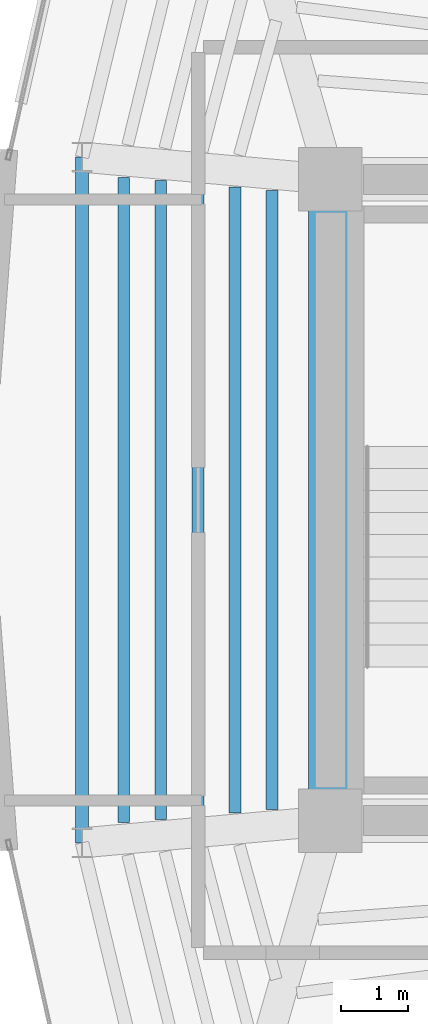
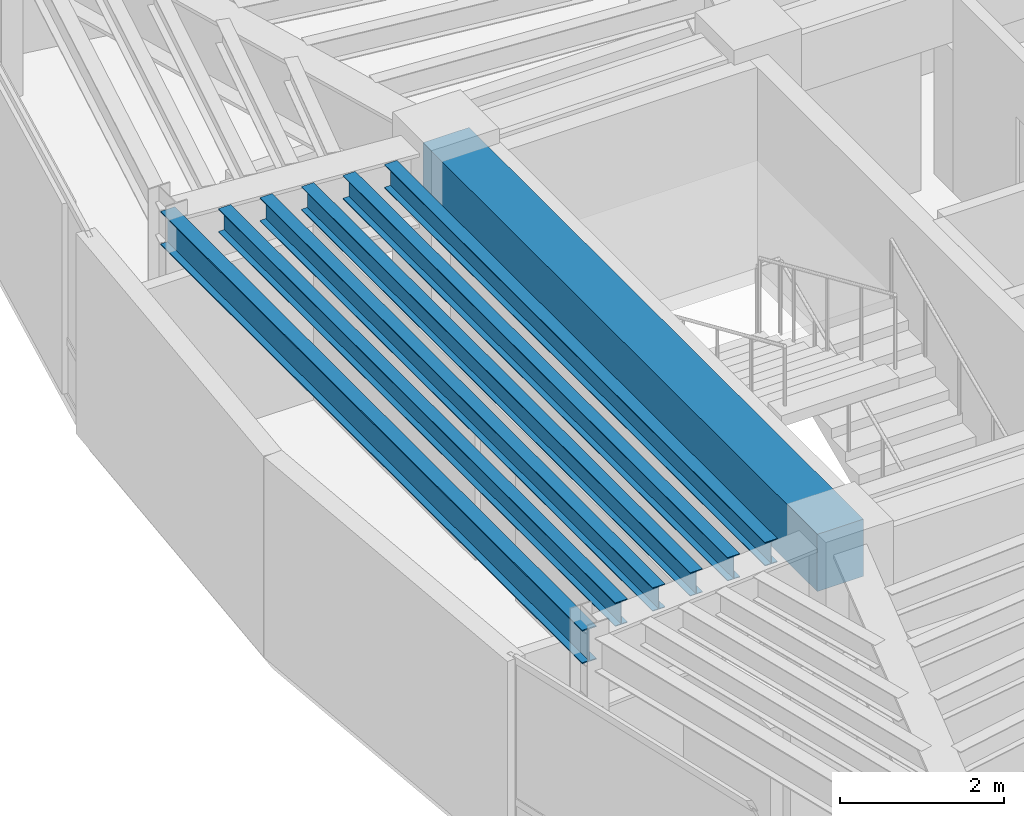
# One storey, part 4 of 14: 7 beams.
"""IFC4 building model written with IfcOpenShell, lengths in metres."""

from ifc_helpers import new_model, si_unit, direction, frame, origin, origin_2d, place, context, subcontext, project, spatial, rectangle, i_section, extrude, material, material_profile, profile_set, type_object, element, save


model = new_model("IFC4")

# Units and contexts
model_context = context("Model", 3, precision=1e-05, world=origin(), true_north=direction((0.0, 1.0)))
body_context = subcontext(model_context, "Body", "Model", "MODEL_VIEW")
ifc_project = project(units=[si_unit("LENGTHUNIT", "METRE"), si_unit("AREAUNIT", "SQUARE_METRE"), si_unit("VOLUMEUNIT", "CUBIC_METRE"), si_unit("PLANEANGLEUNIT", "RADIAN"), si_unit("MASSUNIT", "GRAM", prefix="KILO")], contexts=[model_context])

# Site, building, storey
site_placement = place(None, origin())
site = spatial("IfcSite", under=ifc_project, at=site_placement, CompositionType="ELEMENT")
building_placement = place(site_placement, origin())
building = spatial("IfcBuilding", under=site, at=building_placement, Name="Menara Vayukalpa", CompositionType="ELEMENT")
storey_placement = place(building_placement, frame((0.0, 0.0, 312.02001953125)))
storey = spatial("IfcBuildingStorey", under=building, at=storey_placement, Name="L80", CompositionType="ELEMENT", Elevation=312.02001953125)

# Beams
ifc_material_1 = material(Name="Concrete C60/75", Category="concrete")
ifc_material_profile_1 = material_profile(ifc_material_1, rectangle(XDim=0.64990234375, YDim=0.85009765625, at=origin_2d()), Name="RC 650x850")
ifc_profile_set_1 = profile_set([ifc_material_profile_1], Name="Concrete C60/75")
beam_type_1 = type_object("IfcBeamType", Name="BM-CB1", PredefinedType="BEAM", material=ifc_profile_set_1)
beam_1_placement = place(storey_placement, frame((17.800048828125, 17.199951171875, 2.554931640625), z_axis=(0.0, 1.0, 0.0), x_axis=(-1.0, 0.0, 0.0)))
element("IfcBeam", 1, at=beam_1_placement, inside=storey, type_object=beam_type_1, Name="L80 Core Tie Beam CBR7", PredefinedType="BEAM", context=body_context, shape_type="SweptSolid", body=[
    extrude(rectangle(XDim=0.64990234375, YDim=0.85009765625, at=origin_2d()), origin(), (0.0, 0.0, 1.0), 9.60009765625),
])
ifc_material_2 = material(Name="Steel S355", Category="steel")
ifc_material_profile_2 = material_profile(ifc_material_2, i_section(OverallWidth=0.175048828125, OverallDepth=0.35009765625, WebThickness=0.007080078125, FlangeThickness=0.010986328125, at=origin_2d()), Name="WF 350x175x7x11")
ifc_profile_set_2 = profile_set([ifc_material_profile_2], Name="Steel S355")
beam_type_2 = type_object("IfcBeamType", Name="BM-SJ3", PredefinedType="JOIST", material=ifc_profile_set_2)
beam_2_placement = place(storey_placement, frame((16.926513671875, 26.63330078125, 2.804931640625), z_axis=(0.0, -1.0, 0.0), x_axis=(1.0, 0.0, 0.0)))
element("IfcBeam", 2, at=beam_2_placement, inside=storey, type_object=beam_type_2, Name="L80 Secondary Floor Joist SJ05-1", PredefinedType="JOIST", context=body_context, shape_type="SweptSolid", body=[
    extrude(i_section(OverallWidth=0.175048828125, OverallDepth=0.35009765625, WebThickness=0.007080078125, FlangeThickness=0.010986328125, at=origin_2d()), origin(), (0.0, 0.0, 1.0), 9.2666015625),
])
beam_3_placement = place(storey_placement, frame((16.371337890625, 26.682861328125, 2.804931640625), z_axis=(0.0, -1.0, 0.0), x_axis=(1.0, 0.0, 0.0)))
element("IfcBeam", 3, at=beam_3_placement, inside=storey, type_object=beam_type_2, Name="L80 Secondary Floor Joist SJ05-2", PredefinedType="JOIST", context=body_context, shape_type="SweptSolid", body=[
    extrude(i_section(OverallWidth=0.175048828125, OverallDepth=0.35009765625, WebThickness=0.007080078125, FlangeThickness=0.010986328125, at=origin_2d()), origin(), (0.0, 0.0, 1.0), 9.36572265625),
])
beam_4_placement = place(storey_placement, frame((15.816162109375, 26.732421875, 2.804931640625), z_axis=(0.0, -1.0, 0.0), x_axis=(1.0, 0.0, 0.0)))
element("IfcBeam", 4, at=beam_4_placement, inside=storey, type_object=beam_type_2, Name="L80 Secondary Floor Joist SJ05-3", PredefinedType="JOIST", context=body_context, shape_type="SweptSolid", body=[
    extrude(i_section(OverallWidth=0.175048828125, OverallDepth=0.35009765625, WebThickness=0.007080078125, FlangeThickness=0.010986328125, at=origin_2d()), origin(), (0.0, 0.0, 1.0), 9.46484375),
])
beam_5_placement = place(storey_placement, frame((15.260986328125, 26.7822265625, 2.804931640625), z_axis=(0.0, -1.0, 0.0), x_axis=(1.0, 0.0, 0.0)))
element("IfcBeam", 5, at=beam_5_placement, inside=storey, type_object=beam_type_2, Name="L80 Secondary Floor Joist SJ05-4", PredefinedType="JOIST", context=body_context, shape_type="SweptSolid", body=[
    extrude(i_section(OverallWidth=0.175048828125, OverallDepth=0.35009765625, WebThickness=0.007080078125, FlangeThickness=0.010986328125, at=origin_2d()), origin(), (0.0, 0.0, 1.0), 9.564453125),
])
beam_6_placement = place(storey_placement, frame((14.705810546875, 26.831787109375, 2.804931640625), z_axis=(0.0, -1.0, 0.0), x_axis=(1.0, 0.0, 0.0)))
element("IfcBeam", 6, at=beam_6_placement, inside=storey, type_object=beam_type_2, Name="L80 Secondary Floor Joist SJ05-5", PredefinedType="JOIST", context=body_context, shape_type="SweptSolid", body=[
    extrude(i_section(OverallWidth=0.175048828125, OverallDepth=0.35009765625, WebThickness=0.007080078125, FlangeThickness=0.010986328125, at=origin_2d()), origin(), (0.0, 0.0, 1.0), 9.66357421875),
])
ifc_material_3 = material(Name="Steel S355", Category="steel")
ifc_material_profile_3 = material_profile(ifc_material_3, i_section(OverallWidth=0.199951171875, OverallDepth=0.5, WebThickness=0.010009765625, FlangeThickness=0.01611328125, at=origin_2d()), Name="WF 500x200x10x16")
ifc_profile_set_3 = profile_set([ifc_material_profile_3], Name="Steel S355")
beam_type_3 = type_object("IfcBeamType", Name="BM-SP3", PredefinedType="SPANDREL", material=ifc_profile_set_3)
beam_7_placement = place(storey_placement, frame((14.081298828125, 27.1328125, 2.72998046875), z_axis=(0.0, -1.0, 0.0), x_axis=(1.0, 0.0, 0.0)))
element("IfcBeam", 7, at=beam_7_placement, inside=storey, type_object=beam_type_3, Name="L80 Perimeter Spandrel Beam SP05", PredefinedType="SPANDREL", context=body_context, shape_type="SweptSolid", body=[
    extrude(i_section(OverallWidth=0.199951171875, OverallDepth=0.5, WebThickness=0.010009765625, FlangeThickness=0.01611328125, at=origin_2d()), origin(), (0.0, 0.0, 1.0), 10.265625),
])

save(model, "model.ifc")
